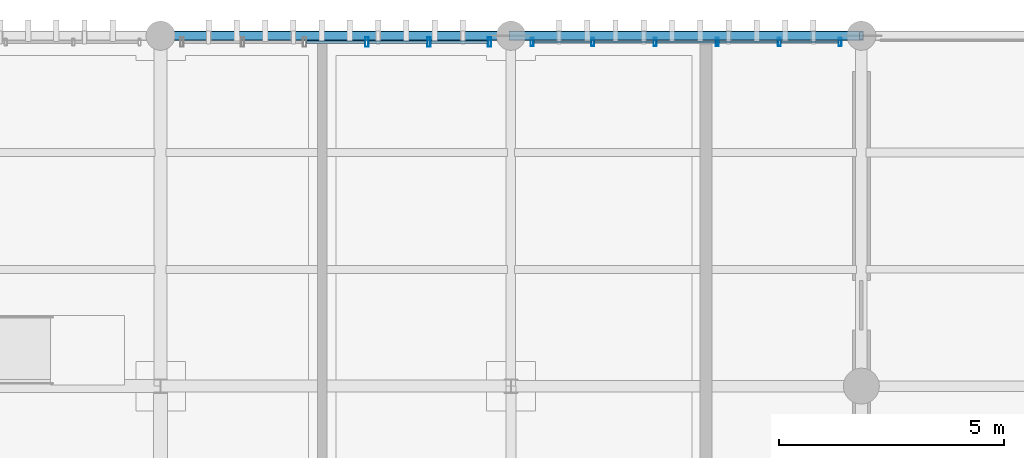
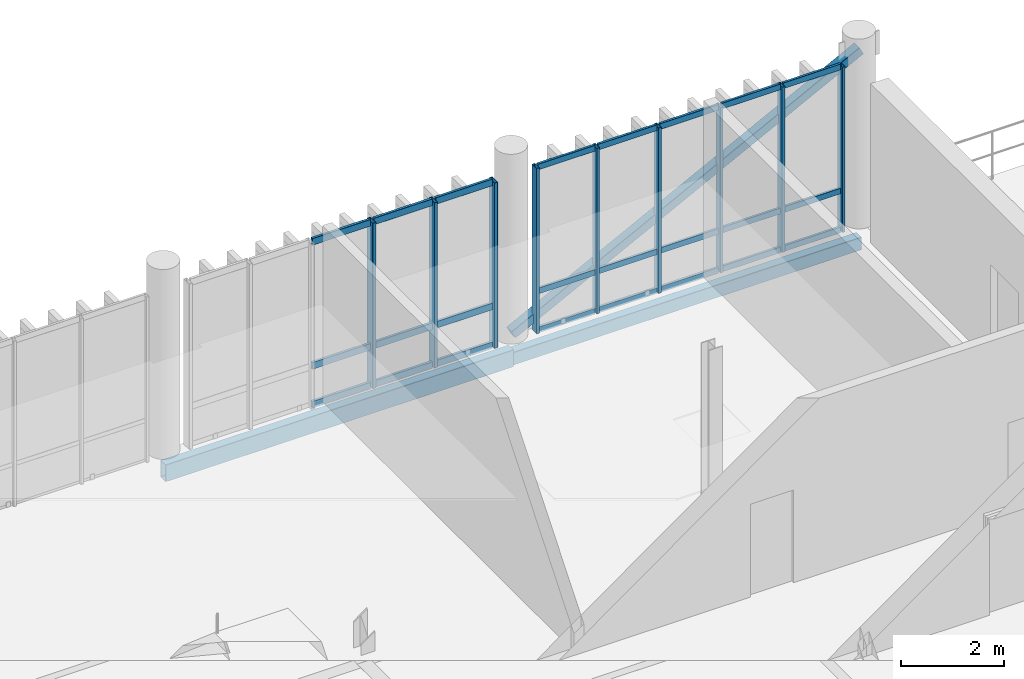
# One storey, part 11 of 19: 34 members, 2 beams, 2 elements without a shape of their own.
"""IFC4 building model written with IfcOpenShell, lengths in metres."""

from ifc_helpers import new_model, si_unit, direction, frame, origin_with_axes, origin_2d_with_axis, place, context, subcontext, project, spatial, hollow_rectangle, extrude, material, material_profile, profile_set, type_object, element, aggregate, save


model = new_model("IFC4")

# Units and contexts
model_context = context("Model", 3, precision=1e-05, world=origin_with_axes(), true_north=direction((0.0, 1.0)))
body_context = subcontext(model_context, "Body", "Model", "MODEL_VIEW")
ifc_project = project(units=[si_unit("LENGTHUNIT", "METRE"), si_unit("AREAUNIT", "SQUARE_METRE"), si_unit("VOLUMEUNIT", "CUBIC_METRE"), si_unit("PLANEANGLEUNIT", "RADIAN"), si_unit("MASSUNIT", "GRAM", prefix="KILO"), si_unit("THERMODYNAMICTEMPERATUREUNIT", "KELVIN")], contexts=[model_context])

# Site, building, storey
site_placement = place(None, origin_with_axes())
site = spatial("IfcSite", under=ifc_project, at=site_placement, CompositionType="ELEMENT")
building_placement = place(site_placement, origin_with_axes())
building = spatial("IfcBuilding", under=site, at=building_placement, Name="Montbau Bow Law Courts", CompositionType="ELEMENT")
storey_placement = place(building_placement, frame((0.0, 0.0, 43.5), z_axis=(0.0, 0.0, 1.0), x_axis=(1.0, 0.0, 0.0)))
storey = spatial("IfcBuildingStorey", under=building, at=storey_placement, Name="L09", CompositionType="ELEMENT", Elevation=43.5)

# Beams
ifc_material_1 = material(Name="Steel CSA G40.21 Grade 350WT (350 MPa)", Category="steel")
ifc_material_profile_1 = material_profile(ifc_material_1, hollow_rectangle(XDim=0.203, YDim=0.406, WallThickness=0.0127, InnerFilletRadius=0.0254, OuterFilletRadius=0.0127, at=origin_2d_with_axis()), Name="HSS406X203X13", Category="Main", Priority=0)
ifc_profile_set_1 = profile_set([ifc_material_profile_1], Name="Steel CSA G40.21 Grade 350WT (350 MPa)")
beam_type_1 = type_object("IfcBeamType", Name="B-SPN-01", PredefinedType="SPANDREL", material=ifc_profile_set_1)
beam_1_placement = place(None, frame((147.0, 111.0, 42.997), z_axis=(1.0, 0.0, 0.0), x_axis=(0.0, 1.0, 0.0)))
element("IfcBeam", 1, at=beam_1_placement, inside=storey, type_object=beam_type_1, Name="SPN-L09-S1397:bm2_1400", PredefinedType="SPANDREL", context=body_context, shape_type="SweptSolid", body=[
    extrude(hollow_rectangle(XDim=0.203, YDim=0.406, WallThickness=0.0127, InnerFilletRadius=0.0254, OuterFilletRadius=0.0127, at=origin_2d_with_axis()), origin_with_axes(), (0.0, 0.0, 1.0), 7.8),
])
ifc_material_profile_2 = material_profile(ifc_material_1, hollow_rectangle(XDim=0.203, YDim=0.305, WallThickness=0.0127, InnerFilletRadius=0.0254, OuterFilletRadius=0.0127, at=origin_2d_with_axis()), Name="HSS305X203X13", Category="Main", Priority=0)
ifc_profile_set_2 = profile_set([ifc_material_profile_2], Name="Steel CSA G40.21 Grade 350WT (350 MPa)")
beam_type_2 = type_object("IfcBeamType", Name="B-SPN-02", PredefinedType="SPANDREL", material=ifc_profile_set_2)
beam_2_placement = place(None, frame((154.8, 111.0, 42.987), z_axis=(1.0, 0.0, 0.0), x_axis=(0.0, 1.0, 0.0)))
element("IfcBeam", 2, at=beam_2_placement, inside=storey, type_object=beam_type_2, Name="SPN-L09-S1398:bm2_1401", PredefinedType="SPANDREL", context=body_context, shape_type="SweptSolid", body=[
    extrude(hollow_rectangle(XDim=0.203, YDim=0.305, WallThickness=0.0127, InnerFilletRadius=0.0254, OuterFilletRadius=0.0127, at=origin_2d_with_axis()), origin_with_axes(), (0.0, 0.0, 1.0), 7.8),
])

# Member
ifc_material_2 = material(Name="Steel CSA G40.21 Grade 350W (350 MPa)", Category="steel")
ifc_material_profile_3 = material_profile(ifc_material_2, hollow_rectangle(XDim=0.203, YDim=0.203, WallThickness=0.0111, InnerFilletRadius=0.0222, OuterFilletRadius=0.0111, at=origin_2d_with_axis()), Name="HSS203X203X11", Category="Main", Priority=0)
ifc_profile_set_3 = profile_set([ifc_material_profile_3], Name="Steel CSA G40.21 Grade 350W (350 MPa)")
member_type_1 = type_object("IfcMemberType", Name="M-BRC-02", PredefinedType="BRACE", material=ifc_profile_set_3)
member_1_placement = place(None, frame((154.8, 111.0, 43.55), z_axis=(0.889493113, 0.0, 0.456948577), x_axis=(0.0, 1.0, 0.0)))
element("IfcMember", 3, at=member_1_placement, inside=storey, type_object=member_type_1, Name="Diagonal brace CBF-L09-080A", PredefinedType="BRACE", context=body_context, shape_type="SweptSolid", body=[
    extrude(hollow_rectangle(XDim=0.203, YDim=0.203, WallThickness=0.0111, InnerFilletRadius=0.0222, OuterFilletRadius=0.0111, at=origin_2d_with_axis()), origin_with_axes(), (0.0, 0.0, 1.0), 8.769039),
])

# Curtain wall, members
ifc_material_3 = material(Name="Thermally Broken Extruded Aluminium AA 6063-T6", Category="aluminium")
curtain_wall_type = type_object("IfcCurtainWallType", Name="CW-CRM-03", PredefinedType="NOTDEFINED", material=ifc_material_3)
curtain_wall_1_placement = place(None, frame((147.44, 110.86, 43.5), z_axis=(0.0, 0.0, 1.0), x_axis=(1.0, 0.0, 0.0)))
curtain_wall_1 = element("IfcCurtainWall", 4, at=curtain_wall_1_placement, inside=storey, type_object=curtain_wall_type, Name="CW-L09-390:cw_0390", PredefinedType="NOTDEFINED")
ifc_material_profile_4 = material_profile(ifc_material_3, hollow_rectangle(XDim=0.075, YDim=0.22, WallThickness=0.005, InnerFilletRadius=0.01, OuterFilletRadius=0.005, at=origin_2d_with_axis()), Name="CWM-220X75", Category="Main", Priority=0)
ifc_profile_set_4 = profile_set([ifc_material_profile_4], Name="Thermally Broken Extruded Aluminium AA 6063-T6")
member_type_2 = type_object("IfcMemberType", Name="M-MUL-01", PredefinedType="MULLION", material=ifc_profile_set_4)
member_2_placement = place(None, frame((151.592, 110.86, 43.5), z_axis=(0.0, 0.0, 1.0), x_axis=(1.0, 0.0, 0.0)))
member_2 = element("IfcMember", 5, at=member_2_placement, type_object=member_type_2, Name="CW-L09-390-M04:cw_0390_M04", PredefinedType="MULLION", context=body_context, shape_type="SweptSolid", body=[
    extrude(hollow_rectangle(XDim=0.075, YDim=0.22, WallThickness=0.005, InnerFilletRadius=0.01, OuterFilletRadius=0.005, at=origin_2d_with_axis()), origin_with_axes(), (0.0, 0.0, 1.0), 3.92),
])
member_3_placement = place(None, frame((152.976, 110.86, 43.5), z_axis=(0.0, 0.0, 1.0), x_axis=(1.0, 0.0, 0.0)))
member_3 = element("IfcMember", 6, at=member_3_placement, type_object=member_type_2, Name="CW-L09-390-M05:cw_0390_M05", PredefinedType="MULLION", context=body_context, shape_type="SweptSolid", body=[
    extrude(hollow_rectangle(XDim=0.075, YDim=0.22, WallThickness=0.005, InnerFilletRadius=0.01, OuterFilletRadius=0.005, at=origin_2d_with_axis()), origin_with_axes(), (0.0, 0.0, 1.0), 3.92),
])
member_4_placement = place(None, frame((154.323, 110.86, 43.5), z_axis=(0.0, 0.0, 1.0), x_axis=(1.0, 0.0, 0.0)))
member_4 = element("IfcMember", 7, at=member_4_placement, type_object=member_type_2, Name="CW-L09-390-M06:cw_0390_M06", PredefinedType="MULLION", context=body_context, shape_type="SweptSolid", body=[
    extrude(hollow_rectangle(XDim=0.075, YDim=0.22, WallThickness=0.005, InnerFilletRadius=0.01, OuterFilletRadius=0.005, at=origin_2d_with_axis()), origin_with_axes(), (0.0, 0.0, 1.0), 3.92),
])

curtain_wall_2_placement = place(None, frame((155.24, 110.86, 43.5), z_axis=(0.0, 0.0, 1.0), x_axis=(1.0, 0.0, 0.0)))
curtain_wall_2 = element("IfcCurtainWall", 8, at=curtain_wall_2_placement, inside=storey, type_object=curtain_wall_type, Name="CW-L09-391:cw_0391", PredefinedType="NOTDEFINED")
ifc_material_profile_5 = material_profile(ifc_material_3, hollow_rectangle(XDim=0.065, YDim=0.18, WallThickness=0.005, InnerFilletRadius=0.01, OuterFilletRadius=0.005, at=origin_2d_with_axis()), Name="CWM-180X65", Category="Main", Priority=0)
ifc_profile_set_5 = profile_set([ifc_material_profile_5], Name="Thermally Broken Extruded Aluminium AA 6063-T6")
member_type_3 = type_object("IfcMemberType", Name="M-MUL-02", PredefinedType="MULLION", material=ifc_profile_set_5)
member_5_placement = place(None, frame((155.273, 110.86, 43.5), z_axis=(0.0, 0.0, 1.0), x_axis=(1.0, 0.0, 0.0)))
member_5 = element("IfcMember", 9, at=member_5_placement, type_object=member_type_3, Name="CW-L09-391-M01:cw_0391_M01", PredefinedType="MULLION", context=body_context, shape_type="SweptSolid", body=[
    extrude(hollow_rectangle(XDim=0.065, YDim=0.18, WallThickness=0.005, InnerFilletRadius=0.01, OuterFilletRadius=0.005, at=origin_2d_with_axis()), origin_with_axes(), (0.0, 0.0, 1.0), 3.92),
])
member_6_placement = place(None, frame((156.624, 110.86, 43.5), z_axis=(0.0, 0.0, 1.0), x_axis=(1.0, 0.0, 0.0)))
member_6 = element("IfcMember", 10, at=member_6_placement, type_object=member_type_3, Name="CW-L09-391-M02:cw_0391_M02", PredefinedType="MULLION", context=body_context, shape_type="SweptSolid", body=[
    extrude(hollow_rectangle(XDim=0.065, YDim=0.18, WallThickness=0.005, InnerFilletRadius=0.01, OuterFilletRadius=0.005, at=origin_2d_with_axis()), origin_with_axes(), (0.0, 0.0, 1.0), 3.92),
])
member_7_placement = place(None, frame((158.008, 110.86, 43.5), z_axis=(0.0, 0.0, 1.0), x_axis=(1.0, 0.0, 0.0)))
member_7 = element("IfcMember", 11, at=member_7_placement, type_object=member_type_3, Name="CW-L09-391-M03:cw_0391_M03", PredefinedType="MULLION", context=body_context, shape_type="SweptSolid", body=[
    extrude(hollow_rectangle(XDim=0.065, YDim=0.18, WallThickness=0.005, InnerFilletRadius=0.01, OuterFilletRadius=0.005, at=origin_2d_with_axis()), origin_with_axes(), (0.0, 0.0, 1.0), 3.92),
])
member_8_placement = place(None, frame((159.392, 110.86, 43.5), z_axis=(0.0, 0.0, 1.0), x_axis=(1.0, 0.0, 0.0)))
member_8 = element("IfcMember", 12, at=member_8_placement, type_object=member_type_3, Name="CW-L09-391-M04:cw_0391_M04", PredefinedType="MULLION", context=body_context, shape_type="SweptSolid", body=[
    extrude(hollow_rectangle(XDim=0.065, YDim=0.18, WallThickness=0.005, InnerFilletRadius=0.01, OuterFilletRadius=0.005, at=origin_2d_with_axis()), origin_with_axes(), (0.0, 0.0, 1.0), 3.92),
])
member_9_placement = place(None, frame((160.776, 110.86, 43.5), z_axis=(0.0, 0.0, 1.0), x_axis=(1.0, 0.0, 0.0)))
member_9 = element("IfcMember", 13, at=member_9_placement, type_object=member_type_3, Name="CW-L09-391-M05:cw_0391_M05", PredefinedType="MULLION", context=body_context, shape_type="SweptSolid", body=[
    extrude(hollow_rectangle(XDim=0.065, YDim=0.18, WallThickness=0.005, InnerFilletRadius=0.01, OuterFilletRadius=0.005, at=origin_2d_with_axis()), origin_with_axes(), (0.0, 0.0, 1.0), 3.92),
])
member_10_placement = place(None, frame((162.127, 110.86, 43.5), z_axis=(0.0, 0.0, 1.0), x_axis=(1.0, 0.0, 0.0)))
member_10 = element("IfcMember", 14, at=member_10_placement, type_object=member_type_3, Name="CW-L09-391-M06:cw_0391_M06", PredefinedType="MULLION", context=body_context, shape_type="SweptSolid", body=[
    extrude(hollow_rectangle(XDim=0.065, YDim=0.18, WallThickness=0.005, InnerFilletRadius=0.01, OuterFilletRadius=0.005, at=origin_2d_with_axis()), origin_with_axes(), (0.0, 0.0, 1.0), 3.92),
])

# Member
ifc_material_profile_6 = material_profile(ifc_material_3, hollow_rectangle(XDim=0.06, YDim=0.16, WallThickness=0.004, InnerFilletRadius=0.008, OuterFilletRadius=0.004, at=origin_2d_with_axis()), Name="CWT-160X60", Category="Main", Priority=0)
ifc_profile_set_6 = profile_set([ifc_material_profile_6], Name="Thermally Broken Extruded Aluminium AA 6063-T6")
member_type_4 = type_object("IfcMemberType", Name="M-TRN-01", PredefinedType="USERDEFINED", material=ifc_profile_set_6)
member_11_placement = place(None, frame((150.247, 110.86, 43.53), z_axis=(1.0, 0.0, 0.0), x_axis=(0.0, 1.0, 0.0)))
member_11 = element("IfcMember", 15, at=member_11_placement, type_object=member_type_4, Name="CW-L09-390-T03-1:cw_0390_T03_1", ObjectType="TRANSOM", PredefinedType="USERDEFINED", context=body_context, shape_type="SweptSolid", body=[
    extrude(hollow_rectangle(XDim=0.06, YDim=0.16, WallThickness=0.004, InnerFilletRadius=0.008, OuterFilletRadius=0.004, at=origin_2d_with_axis()), origin_with_axes(), (0.0, 0.0, 1.0), 1.306),
])

member_12_placement = place(None, frame((150.247, 110.86, 44.45), z_axis=(1.0, 0.0, 0.0), x_axis=(0.0, 1.0, 0.0)))
member_12 = element("IfcMember", 16, at=member_12_placement, type_object=member_type_4, Name="CW-L09-390-T03-2:cw_0390_T03_2", ObjectType="TRANSOM", PredefinedType="USERDEFINED", context=body_context, shape_type="SweptSolid", body=[
    extrude(hollow_rectangle(XDim=0.06, YDim=0.16, WallThickness=0.004, InnerFilletRadius=0.008, OuterFilletRadius=0.004, at=origin_2d_with_axis()), origin_with_axes(), (0.0, 0.0, 1.0), 1.306),
])

member_13_placement = place(None, frame((150.247, 110.86, 47.39), z_axis=(1.0, 0.0, 0.0), x_axis=(0.0, 1.0, 0.0)))
member_13 = element("IfcMember", 17, at=member_13_placement, type_object=member_type_4, Name="CW-L09-390-T03-3:cw_0390_T03_3", ObjectType="TRANSOM", PredefinedType="USERDEFINED", context=body_context, shape_type="SweptSolid", body=[
    extrude(hollow_rectangle(XDim=0.06, YDim=0.16, WallThickness=0.004, InnerFilletRadius=0.008, OuterFilletRadius=0.004, at=origin_2d_with_axis()), origin_with_axes(), (0.0, 0.0, 1.0), 1.306),
])

member_14_placement = place(None, frame((151.631, 110.86, 43.53), z_axis=(1.0, 0.0, 0.0), x_axis=(0.0, 1.0, 0.0)))
member_14 = element("IfcMember", 18, at=member_14_placement, type_object=member_type_4, Name="CW-L09-390-T04-1:cw_0390_T04_1", ObjectType="TRANSOM", PredefinedType="USERDEFINED", context=body_context, shape_type="SweptSolid", body=[
    extrude(hollow_rectangle(XDim=0.06, YDim=0.16, WallThickness=0.004, InnerFilletRadius=0.008, OuterFilletRadius=0.004, at=origin_2d_with_axis()), origin_with_axes(), (0.0, 0.0, 1.0), 1.306),
])

member_15_placement = place(None, frame((151.631, 110.86, 44.45), z_axis=(1.0, 0.0, 0.0), x_axis=(0.0, 1.0, 0.0)))
member_15 = element("IfcMember", 19, at=member_15_placement, type_object=member_type_4, Name="CW-L09-390-T04-2:cw_0390_T04_2", ObjectType="TRANSOM", PredefinedType="USERDEFINED", context=body_context, shape_type="SweptSolid", body=[
    extrude(hollow_rectangle(XDim=0.06, YDim=0.16, WallThickness=0.004, InnerFilletRadius=0.008, OuterFilletRadius=0.004, at=origin_2d_with_axis()), origin_with_axes(), (0.0, 0.0, 1.0), 1.306),
])

member_16_placement = place(None, frame((151.631, 110.86, 47.39), z_axis=(1.0, 0.0, 0.0), x_axis=(0.0, 1.0, 0.0)))
member_16 = element("IfcMember", 20, at=member_16_placement, type_object=member_type_4, Name="CW-L09-390-T04-3:cw_0390_T04_3", ObjectType="TRANSOM", PredefinedType="USERDEFINED", context=body_context, shape_type="SweptSolid", body=[
    extrude(hollow_rectangle(XDim=0.06, YDim=0.16, WallThickness=0.004, InnerFilletRadius=0.008, OuterFilletRadius=0.004, at=origin_2d_with_axis()), origin_with_axes(), (0.0, 0.0, 1.0), 1.306),
])

member_17_placement = place(None, frame((153.015, 110.86, 43.53), z_axis=(1.0, 0.0, 0.0), x_axis=(0.0, 1.0, 0.0)))
member_17 = element("IfcMember", 21, at=member_17_placement, type_object=member_type_4, Name="CW-L09-390-T05-1:cw_0390_T05_1", ObjectType="TRANSOM", PredefinedType="USERDEFINED", context=body_context, shape_type="SweptSolid", body=[
    extrude(hollow_rectangle(XDim=0.06, YDim=0.16, WallThickness=0.004, InnerFilletRadius=0.008, OuterFilletRadius=0.004, at=origin_2d_with_axis()), origin_with_axes(), (0.0, 0.0, 1.0), 1.269),
])

member_18_placement = place(None, frame((153.015, 110.86, 44.45), z_axis=(1.0, 0.0, 0.0), x_axis=(0.0, 1.0, 0.0)))
member_18 = element("IfcMember", 22, at=member_18_placement, type_object=member_type_4, Name="CW-L09-390-T05-2:cw_0390_T05_2", ObjectType="TRANSOM", PredefinedType="USERDEFINED", context=body_context, shape_type="SweptSolid", body=[
    extrude(hollow_rectangle(XDim=0.06, YDim=0.16, WallThickness=0.004, InnerFilletRadius=0.008, OuterFilletRadius=0.004, at=origin_2d_with_axis()), origin_with_axes(), (0.0, 0.0, 1.0), 1.269),
])

member_19_placement = place(None, frame((153.015, 110.86, 47.39), z_axis=(1.0, 0.0, 0.0), x_axis=(0.0, 1.0, 0.0)))
member_19 = element("IfcMember", 23, at=member_19_placement, type_object=member_type_4, Name="CW-L09-390-T05-3:cw_0390_T05_3", ObjectType="TRANSOM", PredefinedType="USERDEFINED", context=body_context, shape_type="SweptSolid", body=[
    extrude(hollow_rectangle(XDim=0.06, YDim=0.16, WallThickness=0.004, InnerFilletRadius=0.008, OuterFilletRadius=0.004, at=origin_2d_with_axis()), origin_with_axes(), (0.0, 0.0, 1.0), 1.269),
])

aggregate(curtain_wall_1, [member_2, member_3, member_4, member_11, member_12, member_13, member_14, member_15, member_16, member_17, member_18, member_19])

ifc_material_profile_7 = material_profile(ifc_material_3, hollow_rectangle(XDim=0.055, YDim=0.14, WallThickness=0.004, InnerFilletRadius=0.008, OuterFilletRadius=0.004, at=origin_2d_with_axis()), Name="CWT-140X55", Category="Main", Priority=0)
ifc_profile_set_7 = profile_set([ifc_material_profile_7], Name="Thermally Broken Extruded Aluminium AA 6063-T6")
member_type_5 = type_object("IfcMemberType", Name="M-TRN-02", PredefinedType="USERDEFINED", material=ifc_profile_set_7)
member_20_placement = place(None, frame((155.308, 110.86, 43.528), z_axis=(1.0, 0.0, 0.0), x_axis=(0.0, 1.0, 0.0)))
member_20 = element("IfcMember", 24, at=member_20_placement, type_object=member_type_5, Name="CW-L09-391-T01-1:cw_0391_T01_1", ObjectType="TRANSOM", PredefinedType="USERDEFINED", context=body_context, shape_type="SweptSolid", body=[
    extrude(hollow_rectangle(XDim=0.055, YDim=0.14, WallThickness=0.004, InnerFilletRadius=0.008, OuterFilletRadius=0.004, at=origin_2d_with_axis()), origin_with_axes(), (0.0, 0.0, 1.0), 1.281),
])

member_21_placement = place(None, frame((155.308, 110.86, 44.45), z_axis=(1.0, 0.0, 0.0), x_axis=(0.0, 1.0, 0.0)))
member_21 = element("IfcMember", 25, at=member_21_placement, type_object=member_type_5, Name="CW-L09-391-T01-2:cw_0391_T01_2", ObjectType="TRANSOM", PredefinedType="USERDEFINED", context=body_context, shape_type="SweptSolid", body=[
    extrude(hollow_rectangle(XDim=0.055, YDim=0.14, WallThickness=0.004, InnerFilletRadius=0.008, OuterFilletRadius=0.004, at=origin_2d_with_axis()), origin_with_axes(), (0.0, 0.0, 1.0), 1.281),
])

member_22_placement = place(None, frame((155.308, 110.86, 47.392), z_axis=(1.0, 0.0, 0.0), x_axis=(0.0, 1.0, 0.0)))
member_22 = element("IfcMember", 26, at=member_22_placement, type_object=member_type_5, Name="CW-L09-391-T01-3:cw_0391_T01_3", ObjectType="TRANSOM", PredefinedType="USERDEFINED", context=body_context, shape_type="SweptSolid", body=[
    extrude(hollow_rectangle(XDim=0.055, YDim=0.14, WallThickness=0.004, InnerFilletRadius=0.008, OuterFilletRadius=0.004, at=origin_2d_with_axis()), origin_with_axes(), (0.0, 0.0, 1.0), 1.281),
])

member_23_placement = place(None, frame((156.658, 110.86, 43.528), z_axis=(1.0, 0.0, 0.0), x_axis=(0.0, 1.0, 0.0)))
member_23 = element("IfcMember", 27, at=member_23_placement, type_object=member_type_5, Name="CW-L09-391-T02-1:cw_0391_T02_1", ObjectType="TRANSOM", PredefinedType="USERDEFINED", context=body_context, shape_type="SweptSolid", body=[
    extrude(hollow_rectangle(XDim=0.055, YDim=0.14, WallThickness=0.004, InnerFilletRadius=0.008, OuterFilletRadius=0.004, at=origin_2d_with_axis()), origin_with_axes(), (0.0, 0.0, 1.0), 1.315),
])

member_24_placement = place(None, frame((156.658, 110.86, 44.45), z_axis=(1.0, 0.0, 0.0), x_axis=(0.0, 1.0, 0.0)))
member_24 = element("IfcMember", 28, at=member_24_placement, type_object=member_type_5, Name="CW-L09-391-T02-2:cw_0391_T02_2", ObjectType="TRANSOM", PredefinedType="USERDEFINED", context=body_context, shape_type="SweptSolid", body=[
    extrude(hollow_rectangle(XDim=0.055, YDim=0.14, WallThickness=0.004, InnerFilletRadius=0.008, OuterFilletRadius=0.004, at=origin_2d_with_axis()), origin_with_axes(), (0.0, 0.0, 1.0), 1.315),
])

member_25_placement = place(None, frame((156.658, 110.86, 47.392), z_axis=(1.0, 0.0, 0.0), x_axis=(0.0, 1.0, 0.0)))
member_25 = element("IfcMember", 29, at=member_25_placement, type_object=member_type_5, Name="CW-L09-391-T02-3:cw_0391_T02_3", ObjectType="TRANSOM", PredefinedType="USERDEFINED", context=body_context, shape_type="SweptSolid", body=[
    extrude(hollow_rectangle(XDim=0.055, YDim=0.14, WallThickness=0.004, InnerFilletRadius=0.008, OuterFilletRadius=0.004, at=origin_2d_with_axis()), origin_with_axes(), (0.0, 0.0, 1.0), 1.315),
])

member_26_placement = place(None, frame((158.042, 110.86, 43.528), z_axis=(1.0, 0.0, 0.0), x_axis=(0.0, 1.0, 0.0)))
member_26 = element("IfcMember", 30, at=member_26_placement, type_object=member_type_5, Name="CW-L09-391-T03-1:cw_0391_T03_1", ObjectType="TRANSOM", PredefinedType="USERDEFINED", context=body_context, shape_type="SweptSolid", body=[
    extrude(hollow_rectangle(XDim=0.055, YDim=0.14, WallThickness=0.004, InnerFilletRadius=0.008, OuterFilletRadius=0.004, at=origin_2d_with_axis()), origin_with_axes(), (0.0, 0.0, 1.0), 1.316),
])

member_27_placement = place(None, frame((158.042, 110.86, 44.45), z_axis=(1.0, 0.0, 0.0), x_axis=(0.0, 1.0, 0.0)))
member_27 = element("IfcMember", 31, at=member_27_placement, type_object=member_type_5, Name="CW-L09-391-T03-2:cw_0391_T03_2", ObjectType="TRANSOM", PredefinedType="USERDEFINED", context=body_context, shape_type="SweptSolid", body=[
    extrude(hollow_rectangle(XDim=0.055, YDim=0.14, WallThickness=0.004, InnerFilletRadius=0.008, OuterFilletRadius=0.004, at=origin_2d_with_axis()), origin_with_axes(), (0.0, 0.0, 1.0), 1.316),
])

member_28_placement = place(None, frame((158.042, 110.86, 47.392), z_axis=(1.0, 0.0, 0.0), x_axis=(0.0, 1.0, 0.0)))
member_28 = element("IfcMember", 32, at=member_28_placement, type_object=member_type_5, Name="CW-L09-391-T03-3:cw_0391_T03_3", ObjectType="TRANSOM", PredefinedType="USERDEFINED", context=body_context, shape_type="SweptSolid", body=[
    extrude(hollow_rectangle(XDim=0.055, YDim=0.14, WallThickness=0.004, InnerFilletRadius=0.008, OuterFilletRadius=0.004, at=origin_2d_with_axis()), origin_with_axes(), (0.0, 0.0, 1.0), 1.316),
])

member_29_placement = place(None, frame((159.426, 110.86, 43.528), z_axis=(1.0, 0.0, 0.0), x_axis=(0.0, 1.0, 0.0)))
member_29 = element("IfcMember", 33, at=member_29_placement, type_object=member_type_5, Name="CW-L09-391-T04-1:cw_0391_T04_1", ObjectType="TRANSOM", PredefinedType="USERDEFINED", context=body_context, shape_type="SweptSolid", body=[
    extrude(hollow_rectangle(XDim=0.055, YDim=0.14, WallThickness=0.004, InnerFilletRadius=0.008, OuterFilletRadius=0.004, at=origin_2d_with_axis()), origin_with_axes(), (0.0, 0.0, 1.0), 1.316),
])

member_30_placement = place(None, frame((159.426, 110.86, 44.45), z_axis=(1.0, 0.0, 0.0), x_axis=(0.0, 1.0, 0.0)))
member_30 = element("IfcMember", 34, at=member_30_placement, type_object=member_type_5, Name="CW-L09-391-T04-2:cw_0391_T04_2", ObjectType="TRANSOM", PredefinedType="USERDEFINED", context=body_context, shape_type="SweptSolid", body=[
    extrude(hollow_rectangle(XDim=0.055, YDim=0.14, WallThickness=0.004, InnerFilletRadius=0.008, OuterFilletRadius=0.004, at=origin_2d_with_axis()), origin_with_axes(), (0.0, 0.0, 1.0), 1.316),
])

member_31_placement = place(None, frame((159.426, 110.86, 47.392), z_axis=(1.0, 0.0, 0.0), x_axis=(0.0, 1.0, 0.0)))
member_31 = element("IfcMember", 35, at=member_31_placement, type_object=member_type_5, Name="CW-L09-391-T04-3:cw_0391_T04_3", ObjectType="TRANSOM", PredefinedType="USERDEFINED", context=body_context, shape_type="SweptSolid", body=[
    extrude(hollow_rectangle(XDim=0.055, YDim=0.14, WallThickness=0.004, InnerFilletRadius=0.008, OuterFilletRadius=0.004, at=origin_2d_with_axis()), origin_with_axes(), (0.0, 0.0, 1.0), 1.316),
])

member_32_placement = place(None, frame((160.81, 110.86, 43.528), z_axis=(1.0, 0.0, 0.0), x_axis=(0.0, 1.0, 0.0)))
member_32 = element("IfcMember", 36, at=member_32_placement, type_object=member_type_5, Name="CW-L09-391-T05-1:cw_0391_T05_1", ObjectType="TRANSOM", PredefinedType="USERDEFINED", context=body_context, shape_type="SweptSolid", body=[
    extrude(hollow_rectangle(XDim=0.055, YDim=0.14, WallThickness=0.004, InnerFilletRadius=0.008, OuterFilletRadius=0.004, at=origin_2d_with_axis()), origin_with_axes(), (0.0, 0.0, 1.0), 1.283),
])

member_33_placement = place(None, frame((160.81, 110.86, 44.45), z_axis=(1.0, 0.0, 0.0), x_axis=(0.0, 1.0, 0.0)))
member_33 = element("IfcMember", 37, at=member_33_placement, type_object=member_type_5, Name="CW-L09-391-T05-2:cw_0391_T05_2", ObjectType="TRANSOM", PredefinedType="USERDEFINED", context=body_context, shape_type="SweptSolid", body=[
    extrude(hollow_rectangle(XDim=0.055, YDim=0.14, WallThickness=0.004, InnerFilletRadius=0.008, OuterFilletRadius=0.004, at=origin_2d_with_axis()), origin_with_axes(), (0.0, 0.0, 1.0), 1.283),
])

member_34_placement = place(None, frame((160.81, 110.86, 47.392), z_axis=(1.0, 0.0, 0.0), x_axis=(0.0, 1.0, 0.0)))
member_34 = element("IfcMember", 38, at=member_34_placement, type_object=member_type_5, Name="CW-L09-391-T05-3:cw_0391_T05_3", ObjectType="TRANSOM", PredefinedType="USERDEFINED", context=body_context, shape_type="SweptSolid", body=[
    extrude(hollow_rectangle(XDim=0.055, YDim=0.14, WallThickness=0.004, InnerFilletRadius=0.008, OuterFilletRadius=0.004, at=origin_2d_with_axis()), origin_with_axes(), (0.0, 0.0, 1.0), 1.283),
])

aggregate(curtain_wall_2, [member_5, member_6, member_7, member_8, member_9, member_10, member_20, member_21, member_22, member_23, member_24, member_25, member_26, member_27, member_28, member_29, member_30, member_31, member_32, member_33, member_34])

save(model, "model.ifc")
